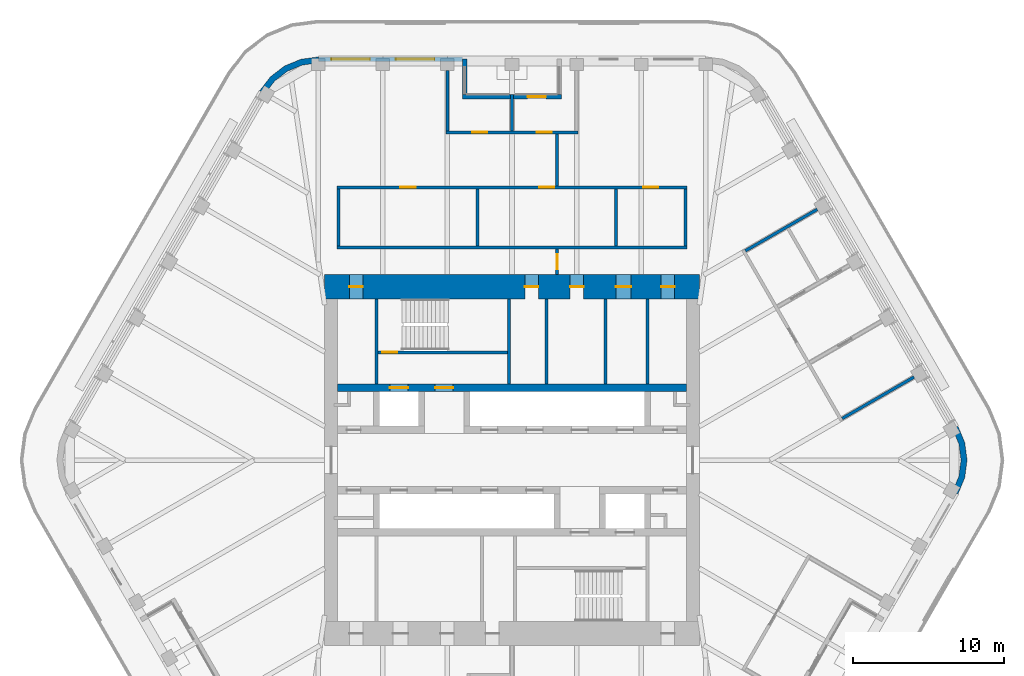
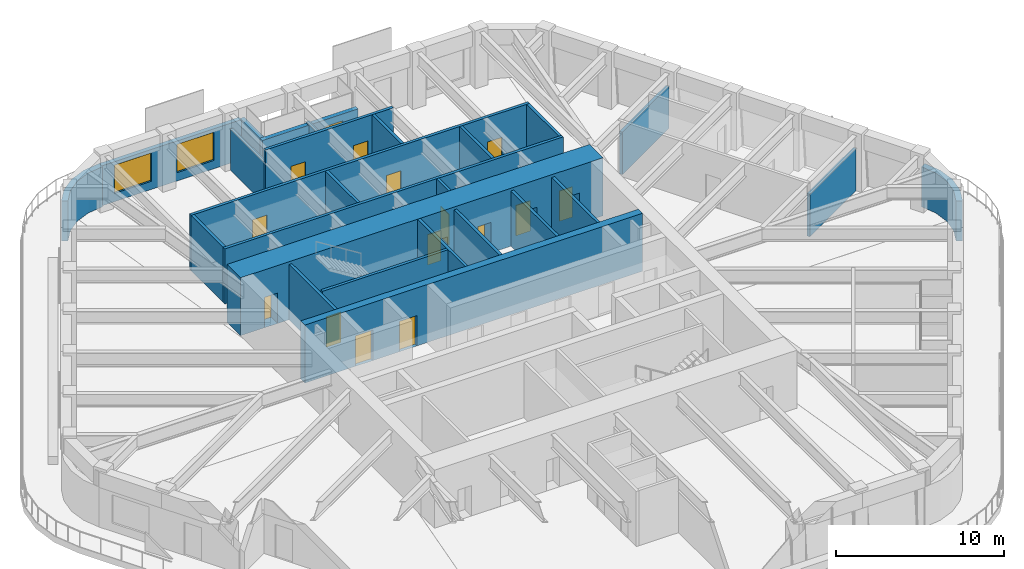
# One storey, part 15 of 19: 26 walls, 15 doors, 2 windows, 17 openings.
"""IFC4 building model written with IfcOpenShell, lengths in metres."""

from ifc_helpers import new_model, si_unit, direction, frame, frame_2d, origin, place, context, subcontext, project, spatial, polyline, rectangle, outline, extrude, material, layer, layer_set, type_object, element, fill, save


model = new_model("IFC4")

# Units and contexts
model_context = context("Model", 3, precision=1e-05, world=origin(), true_north=direction((0.0, 1.0)))
body_context = subcontext(model_context, "Body", "Model", "MODEL_VIEW")
ifc_project = project(units=[si_unit("LENGTHUNIT", "METRE"), si_unit("AREAUNIT", "SQUARE_METRE"), si_unit("VOLUMEUNIT", "CUBIC_METRE"), si_unit("PLANEANGLEUNIT", "RADIAN"), si_unit("MASSUNIT", "GRAM", prefix="KILO")], contexts=[model_context])

# Site, building, storey
site_placement = place(None, origin())
site = spatial("IfcSite", under=ifc_project, at=site_placement, CompositionType="ELEMENT")
building_placement = place(site_placement, origin())
building = spatial("IfcBuilding", under=site, at=building_placement, Name="Tarfa Lantern Tower", CompositionType="ELEMENT")
storey_placement = place(building_placement, frame((0.0, 0.0, 366.10009765625)))
storey = spatial("IfcBuildingStorey", under=building, at=storey_placement, Name="L83", CompositionType="ELEMENT", Elevation=366.10009765625)

# Wall, openings, windows
ifc_material_1 = material(Name="Limestone cladding on blockwork", Category="masonry")
ifc_layer_1 = layer(ifc_material_1, 0.300048828125)
ifc_layer_set_1 = layer_set([ifc_layer_1], Name="EW1 STONE-CLAD WALL 300")
wall_type_1 = type_object("IfcWallType", Name="EW1 STONE-CLAD WALL 300", PredefinedType="SOLIDWALL", material=ifc_layer_set_1)
wall_1_placement = place(storey_placement, frame((-3.281982421875, 26.60009765625, 0.0), z_axis=(0.0, 0.0, 1.0), x_axis=(-1.0, 0.0, 0.0)))
wall_1 = element("IfcWall", 1, at=wall_1_placement, inside=storey, type_object=wall_type_1, Name="Stone wall NB", PredefinedType="SOLIDWALL", context=body_context, shape_type="SweptSolid", body=[
    extrude(rectangle(XDim=9.56396484375, YDim=0.300048828125, at=frame_2d((4.781982421875, 0.0))), origin(), (0.0, 0.0, 1.0), 2.89990234375),
])
opening_1_placement = place(wall_1_placement, frame((1.865966796875, 0.0, 0.60009765625)))
opening_1 = element("IfcOpeningElement", 2, at=opening_1_placement, cuts=wall_1, Name="Opening W17", PredefinedType="OPENING", context=body_context, shape_type="SweptSolid", body=[
    extrude(rectangle(XDim=2.550048828125, YDim=2.050048828125, at=frame_2d((1.27490234375, 1.02490234375))), frame((0.0, 0.159912109375, 0.0), z_axis=(0.0, -1.0, 0.0), x_axis=(1.0, 0.0, 0.0)), (0.0, 0.0, 1.0), 0.320068359375),
])
opening_2_placement = place(wall_1_placement, frame((6.14794921875, 0.0, 0.60009765625)))
opening_2 = element("IfcOpeningElement", 3, at=opening_2_placement, cuts=wall_1, Name="Opening W17", PredefinedType="OPENING", context=body_context, shape_type="SweptSolid", body=[
    extrude(rectangle(XDim=2.550048828125, YDim=2.050048828125, at=frame_2d((1.27490234375, 1.02490234375))), frame((0.0, 0.159912109375, 0.0), z_axis=(0.0, -1.0, 0.0), x_axis=(1.0, 0.0, 0.0)), (0.0, 0.0, 1.0), 0.320068359375),
])
ifc_material_2 = material(Name="Aluminium frame, double glazed", Category="aluminium")
window_type = type_object("IfcWindowType", Name="W17 FULL-HEIGHT GLAZING 2550x2050", PartitioningType="SINGLE_PANEL", PredefinedType="WINDOW", material=ifc_material_2)
window_1_placement = place(opening_1_placement, origin())
window_1 = element("IfcWindow", 4, at=window_1_placement, inside=storey, type_object=window_type, Name="Window NB 1", OverallHeight=2.050048828125, OverallWidth=2.550048828125, PartitioningType="SINGLE_PANEL", PredefinedType="WINDOW", context=body_context, shape_type="SweptSolid", body=[
    extrude(rectangle(XDim=2.550048828125, YDim=2.050048828125, at=frame_2d((1.27490234375, 1.02490234375))), frame((0.0, 0.030029296875, 0.0), z_axis=(0.0, -1.0, 0.0), x_axis=(1.0, 0.0, 0.0)), (0.0, 0.0, 1.0), 0.06005859375),
])
fill(opening_1, window_1)
window_2_placement = place(opening_2_placement, origin())
window_2 = element("IfcWindow", 5, at=window_2_placement, inside=storey, type_object=window_type, Name="Window NB 2", OverallHeight=2.050048828125, OverallWidth=2.550048828125, PartitioningType="SINGLE_PANEL", PredefinedType="WINDOW", context=body_context, shape_type="SweptSolid", body=[
    extrude(rectangle(XDim=2.550048828125, YDim=2.050048828125, at=frame_2d((1.27490234375, 1.02490234375))), frame((0.0, 0.030029296875, 0.0), z_axis=(0.0, -1.0, 0.0), x_axis=(1.0, 0.0, 0.0)), (0.0, 0.0, 1.0), 0.06005859375),
])
fill(opening_2, window_2)

# Wall
wall_2_placement = place(storey_placement, frame((-3.132080078125, 26.60009765625, 0.0), z_axis=(0.0, 0.0, 1.0), x_axis=(0.0, -1.0, 0.0)))
element("IfcWall", 6, at=wall_2_placement, inside=storey, type_object=wall_type_1, Name="Terrace return N 2", PredefinedType="SOLIDWALL", context=body_context, shape_type="SweptSolid", body=[
    extrude(rectangle(XDim=2.35009765625, YDim=0.300048828125, at=frame_2d((1.175048828125, 0.0))), origin(), (0.0, 0.0, 1.0), 2.89990234375),
])

# Wall, opening, door
wall_3_placement = place(storey_placement, frame((3.281982421875, 24.10009765625, 0.0), z_axis=(0.0, 0.0, 1.0), x_axis=(-1.0, 0.0, 0.0)))
wall_3 = element("IfcWall", 7, at=wall_3_placement, inside=storey, type_object=wall_type_1, Name="Stone wall NS", PredefinedType="SOLIDWALL", context=body_context, shape_type="SweptSolid", body=[
    extrude(rectangle(XDim=6.56396484375, YDim=0.300048828125, at=frame_2d((3.281982421875, 0.0))), origin(), (0.0, 0.0, 1.0), 2.89990234375),
])
opening_3_placement = place(wall_3_placement, frame((1.041015625, 0.0, 0.0)))
opening_3 = element("IfcOpeningElement", 8, at=opening_3_placement, cuts=wall_3, Name="Opening D35", PredefinedType="OPENING", context=body_context, shape_type="SweptSolid", body=[
    extrude(rectangle(XDim=1.199951171875, YDim=2.39990234375, at=frame_2d((0.60009765625, 1.199951171875))), frame((0.0, 0.159912109375, 0.0), z_axis=(0.0, -1.0, 0.0), x_axis=(1.0, 0.0, 0.0)), (0.0, 0.0, 1.0), 0.320068359375),
])
ifc_material_3 = material(Name="Aluminium framed glazed door", Category="aluminium")
door_type_1 = type_object("IfcDoorType", Name="BE3 BALCONY DOOR 1200x2400", OperationType="SINGLE_SWING_RIGHT", PredefinedType="DOOR", material=ifc_material_3)
door_1_placement = place(opening_3_placement, origin())
door_1 = element("IfcDoor", 9, at=door_1_placement, inside=storey, type_object=door_type_1, Name="Balcony door NS", OperationType="SINGLE_SWING_LEFT", OverallHeight=2.39990234375, OverallWidth=1.199951171875, PredefinedType="DOOR", context=body_context, shape_type="SweptSolid", body=[
    extrude(rectangle(XDim=1.199951171875, YDim=2.39990234375, at=frame_2d((0.60009765625, 1.199951171875))), frame((0.0, 0.02490234375, 0.0), z_axis=(0.0, -1.0, 0.0), x_axis=(1.0, 0.0, 0.0)), (0.0, 0.0, 1.0), 0.050048828125),
])
fill(opening_3, door_1)

# Walls
ifc_layer_2 = layer(ifc_material_1, 0.39990234375)
ifc_layer_set_2 = layer_set([ifc_layer_2], Name="EW2 CURVED STONE CORNER 400")
wall_type_2 = type_object("IfcWallType", Name="EW2 CURVED STONE CORNER 400", PredefinedType="SOLIDWALL", material=ifc_layer_set_2)
wall_4_placement = place(storey_placement, origin())
element("IfcWall", 10, at=wall_4_placement, inside=storey, type_object=wall_type_2, Name="Stone corner N-NW", PredefinedType="SOLIDWALL", context=body_context, shape_type="SweptSolid", body=[
    extrude(outline(polyline([(-12.845947265625, 26.75), (-14.0107421875, 26.5966796875), (-15.095947265625, 26.147216796875), (-16.028076171875, 25.431884765625), (-16.7431640625, 24.5), (-16.396728515625, 24.300048828125), (-15.7451171875, 25.149169921875), (-14.89599609375, 25.80078125), (-13.9072265625, 26.210205078125), (-12.845947265625, 26.35009765625), (-12.845947265625, 26.75)])), origin(), (0.0, 0.0, 1.0), 2.89990234375),
])
wall_5_placement = place(storey_placement, origin())
element("IfcWall", 11, at=wall_5_placement, inside=storey, type_object=wall_type_2, Name="Stone corner SE-NE", PredefinedType="SOLIDWALL", context=body_context, shape_type="SweptSolid", body=[
    extrude(outline(polyline([(29.589111328125, -2.25), (30.038818359375, -1.164794921875), (30.192138671875, 0.0), (30.038818359375, 1.164794921875), (29.589111328125, 2.25), (29.24267578125, 2.050048828125), (29.65234375, 1.061279296875), (29.7919921875, 0.0), (29.65234375, -1.061279296875), (29.24267578125, -2.050048828125), (29.589111328125, -2.25)])), origin(), (0.0, 0.0, 1.0), 2.89990234375),
])
ifc_material_4 = material(Name="Concrete blockwork", Category="masonry")
ifc_layer_3 = layer(ifc_material_4, 0.199951171875)
ifc_layer_set_3 = layer_set([ifc_layer_3], Name="IW1 BLOCKWORK PARTITION 200 EI 120")
wall_type_3 = type_object("IfcWallType", Name="IW1 BLOCKWORK PARTITION 200 EI 120", PredefinedType="PARTITIONING", material=ifc_layer_set_3)
for number, where, z_axis, x_axis, name in (
    (12, (-9.0, 5.050048828125, 0.0), (0.0, 0.0, 1.0), (0.0, 1.0, 0.0), "Core partition"),
    (13, (9.0, 5.050048828125, 0.0), (0.0, 0.0, 1.0), (0.0, 1.0, 0.0), "Core partition"),
    (14, (2.300048828125, 5.050048828125, 0.0), (0.0, 0.0, 1.0), (0.0, 1.0, 0.0), "Core partition"),
    (15, (6.199951171875, 5.050048828125, 0.0), (0.0, 0.0, 1.0), (0.0, 1.0, 0.0), "Core partition"),
):
    element("IfcWall", number, at=place(storey_placement, frame(where, z_axis=z_axis, x_axis=x_axis)), inside=storey, type_object=wall_type_3, Name=name, PredefinedType="PARTITIONING", context=body_context, shape_type="SweptSolid", body=[
        extrude(rectangle(XDim=5.64990234375, YDim=0.199951171875, at=frame_2d((2.824951171875, 0.0))), origin(), (0.0, 0.0, 1.0), 4.0),
    ])
ifc_material_5 = material(Name="Gypsum board on steel studs", Category="steel")
ifc_layer_4 = layer(ifc_material_5, 0.2099609375)
ifc_layer_set_4 = layer_set([ifc_layer_4], Name="IW2 ACOUSTIC PARTITION 200")
wall_type_4 = type_object("IfcWallType", Name="IW2 ACOUSTIC PARTITION 200", PredefinedType="PARTITIONING", material=ifc_layer_set_4)
wall_6_placement = place(storey_placement, frame((-11.60009765625, 14.10009765625, 0.0), z_axis=(0.0, 0.0, 1.0), x_axis=(1.0, 0.0, 0.0)))
element("IfcWall", 16, at=wall_6_placement, inside=storey, type_object=wall_type_4, Name="Partition", PredefinedType="PARTITIONING", context=body_context, shape_type="SweptSolid", body=[
    extrude(rectangle(XDim=23.2001953125, YDim=0.199951171875, at=frame_2d((11.60009765625, 0.0))), origin(), (0.0, 0.0, 1.0), 4.0),
])

# Wall, openings, doors
wall_7_placement = place(storey_placement, frame((-11.60009765625, 18.10009765625, 0.0), z_axis=(0.0, 0.0, 1.0), x_axis=(1.0, 0.0, 0.0)))
wall_7 = element("IfcWall", 17, at=wall_7_placement, inside=storey, type_object=wall_type_4, Name="Partition", PredefinedType="PARTITIONING", context=body_context, shape_type="SweptSolid", body=[
    extrude(rectangle(XDim=23.2001953125, YDim=0.199951171875, at=frame_2d((11.60009765625, 0.0))), origin(), (0.0, 0.0, 1.0), 4.0),
])
opening_4_placement = place(wall_7_placement, frame((4.199951171875, 0.0, 0.0)))
opening_4 = element("IfcOpeningElement", 18, at=opening_4_placement, cuts=wall_7, Name="Opening D28", PredefinedType="OPENING", context=body_context, shape_type="SweptSolid", body=[
    extrude(rectangle(XDim=1.0, YDim=2.199951171875, at=frame_2d((0.5, 1.10009765625))), frame((0.0, 0.10986328125, 0.0), z_axis=(0.0, -1.0, 0.0), x_axis=(1.0, 0.0, 0.0)), (0.0, 0.0, 1.0), 0.219970703125),
])
opening_5_placement = place(wall_7_placement, frame((13.39990234375, 0.0, 0.0)))
opening_5 = element("IfcOpeningElement", 19, at=opening_5_placement, cuts=wall_7, Name="Opening D29", PredefinedType="OPENING", context=body_context, shape_type="SweptSolid", body=[
    extrude(rectangle(XDim=1.0, YDim=2.199951171875, at=frame_2d((0.5, 1.10009765625))), frame((0.0, 0.10986328125, 0.0), z_axis=(0.0, -1.0, 0.0), x_axis=(1.0, 0.0, 0.0)), (0.0, 0.0, 1.0), 0.219970703125),
])
opening_6_placement = place(wall_7_placement, frame((20.300048828125, 0.0, 0.0)))
opening_6 = element("IfcOpeningElement", 20, at=opening_6_placement, cuts=wall_7, Name="Opening D30", PredefinedType="OPENING", context=body_context, shape_type="SweptSolid", body=[
    extrude(rectangle(XDim=1.0, YDim=2.199951171875, at=frame_2d((0.5, 1.10009765625))), frame((0.0, 0.10986328125, 0.0), z_axis=(0.0, -1.0, 0.0), x_axis=(1.0, 0.0, 0.0)), (0.0, 0.0, 1.0), 0.219970703125),
])
ifc_material_6 = material(Name="Timber door", Category="wood")
door_type_2 = type_object("IfcDoorType", Name="DR1 ROOM DOOR 1000x2200", OperationType="SINGLE_SWING_LEFT", PredefinedType="DOOR", material=ifc_material_6)
door_2_placement = place(opening_4_placement, frame((1.0, 0.0, 0.0), z_axis=(0.0, 0.0, 1.0), x_axis=(-1.0, 0.0, 0.0)))
door_2 = element("IfcDoor", 21, at=door_2_placement, inside=storey, type_object=door_type_2, Name="Chief of staff's office door", OperationType="SINGLE_SWING_LEFT", OverallHeight=2.199951171875, OverallWidth=1.0, PredefinedType="DOOR", context=body_context, shape_type="SweptSolid", body=[
    extrude(rectangle(XDim=1.0, YDim=2.199951171875, at=frame_2d((0.5, 1.10009765625))), frame((0.0, 0.02490234375, 0.0), z_axis=(0.0, -1.0, 0.0), x_axis=(1.0, 0.0, 0.0)), (0.0, 0.0, 1.0), 0.050048828125),
])
fill(opening_4, door_2)
door_3_placement = place(opening_5_placement, frame((1.0, 0.0, 0.0), z_axis=(0.0, 0.0, 1.0), x_axis=(-1.0, 0.0, 0.0)))
door_3 = element("IfcDoor", 22, at=door_3_placement, inside=storey, type_object=door_type_2, Name="Meeting room door", OperationType="SINGLE_SWING_RIGHT", OverallHeight=2.199951171875, OverallWidth=1.0, PredefinedType="DOOR", context=body_context, shape_type="SweptSolid", body=[
    extrude(rectangle(XDim=1.0, YDim=2.199951171875, at=frame_2d((0.5, 1.10009765625))), frame((0.0, 0.02490234375, 0.0), z_axis=(0.0, -1.0, 0.0), x_axis=(1.0, 0.0, 0.0)), (0.0, 0.0, 1.0), 0.050048828125),
])
fill(opening_5, door_3)
door_4_placement = place(opening_6_placement, frame((1.0, 0.0, 0.0), z_axis=(0.0, 0.0, 1.0), x_axis=(-1.0, 0.0, 0.0)))
door_4 = element("IfcDoor", 23, at=door_4_placement, inside=storey, type_object=door_type_2, Name="Pantry door", OperationType="SINGLE_SWING_RIGHT", OverallHeight=2.199951171875, OverallWidth=1.0, PredefinedType="DOOR", context=body_context, shape_type="SweptSolid", body=[
    extrude(rectangle(XDim=1.0, YDim=2.199951171875, at=frame_2d((0.5, 1.10009765625))), frame((0.0, 0.02490234375, 0.0), z_axis=(0.0, -1.0, 0.0), x_axis=(1.0, 0.0, 0.0)), (0.0, 0.0, 1.0), 0.050048828125),
])
fill(opening_6, door_4)

# Walls
for number, where, z_axis, x_axis, name in (
    (24, (-11.5, 14.199951171875, 0.0), (0.0, 0.0, 1.0), (0.0, 1.0, 0.0), "Partition"),
    (25, (-2.300048828125, 14.199951171875, 0.0), (0.0, 0.0, 1.0), (0.0, 1.0, 0.0), "Partition"),
    (26, (6.89990234375, 14.199951171875, 0.0), (0.0, 0.0, 1.0), (0.0, 1.0, 0.0), "Partition"),
    (27, (11.5, 14.199951171875, 0.0), (0.0, 0.0, 1.0), (0.0, 1.0, 0.0), "Partition"),
):
    element("IfcWall", number, at=place(storey_placement, frame(where, z_axis=z_axis, x_axis=x_axis)), inside=storey, type_object=wall_type_4, Name=name, PredefinedType="PARTITIONING", context=body_context, shape_type="SweptSolid", body=[
        extrude(rectangle(XDim=3.800048828125, YDim=0.199951171875, at=frame_2d((1.89990234375, 0.0))), origin(), (0.0, 0.0, 1.0), 4.0),
    ])

# Wall, openings, doors
wall_8_placement = place(storey_placement, frame((4.382080078125, 21.75, 0.0), z_axis=(0.0, 0.0, 1.0), x_axis=(-1.0, 0.0, 0.0)))
wall_8 = element("IfcWall", 28, at=wall_8_placement, inside=storey, type_object=wall_type_4, Name="Partition", PredefinedType="PARTITIONING", context=body_context, shape_type="SweptSolid", body=[
    extrude(rectangle(XDim=8.76416015625, YDim=0.199951171875, at=frame_2d((4.382080078125, 0.0))), origin(), (0.0, 0.0, 1.0), 4.0),
])
opening_7_placement = place(wall_8_placement, frame((1.740966796875, 0.0, 0.0)))
opening_7 = element("IfcOpeningElement", 29, at=opening_7_placement, cuts=wall_8, Name="Opening D21", PredefinedType="OPENING", context=body_context, shape_type="SweptSolid", body=[
    extrude(rectangle(XDim=1.0, YDim=2.199951171875, at=frame_2d((0.5, 1.10009765625))), frame((0.0, 0.10986328125, 0.0), z_axis=(0.0, -1.0, 0.0), x_axis=(1.0, 0.0, 0.0)), (0.0, 0.0, 1.0), 0.219970703125),
])
opening_8_placement = place(wall_8_placement, frame((6.02294921875, 0.0, 0.0)))
opening_8 = element("IfcOpeningElement", 30, at=opening_8_placement, cuts=wall_8, Name="Opening D22", PredefinedType="OPENING", context=body_context, shape_type="SweptSolid", body=[
    extrude(rectangle(XDim=1.0, YDim=2.199951171875, at=frame_2d((0.5, 1.10009765625))), frame((0.0, 0.10986328125, 0.0), z_axis=(0.0, -1.0, 0.0), x_axis=(1.0, 0.0, 0.0)), (0.0, 0.0, 1.0), 0.219970703125),
])
door_5_placement = place(opening_7_placement, frame((1.0, 0.0, 0.0), z_axis=(0.0, 0.0, 1.0), x_axis=(-1.0, 0.0, 0.0)))
door_5 = element("IfcDoor", 31, at=door_5_placement, inside=storey, type_object=door_type_2, Name="Advisor's office door", OperationType="SINGLE_SWING_LEFT", OverallHeight=2.199951171875, OverallWidth=1.0, PredefinedType="DOOR", context=body_context, shape_type="SweptSolid", body=[
    extrude(rectangle(XDim=1.0, YDim=2.199951171875, at=frame_2d((0.5, 1.10009765625))), frame((0.0, 0.02490234375, 0.0), z_axis=(0.0, -1.0, 0.0), x_axis=(1.0, 0.0, 0.0)), (0.0, 0.0, 1.0), 0.050048828125),
])
fill(opening_7, door_5)
door_6_placement = place(opening_8_placement, frame((1.0, 0.0, 0.0), z_axis=(0.0, 0.0, 1.0), x_axis=(-1.0, 0.0, 0.0)))
door_6 = element("IfcDoor", 32, at=door_6_placement, inside=storey, type_object=door_type_2, Name="Advisor's office door", OperationType="SINGLE_SWING_RIGHT", OverallHeight=2.199951171875, OverallWidth=1.0, PredefinedType="DOOR", context=body_context, shape_type="SweptSolid", body=[
    extrude(rectangle(XDim=1.0, YDim=2.199951171875, at=frame_2d((0.5, 1.10009765625))), frame((0.0, 0.02490234375, 0.0), z_axis=(0.0, -1.0, 0.0), x_axis=(1.0, 0.0, 0.0)), (0.0, 0.0, 1.0), 0.050048828125),
])
fill(opening_8, door_6)

# Walls
wall_9_placement = place(storey_placement, frame((0.0, 21.85009765625, 0.0), z_axis=(0.0, 0.0, 1.0), x_axis=(0.0, 1.0, 0.0)))
element("IfcWall", 33, at=wall_9_placement, inside=storey, type_object=wall_type_4, Name="Partition", PredefinedType="PARTITIONING", context=body_context, shape_type="SweptSolid", body=[
    extrude(rectangle(XDim=2.40087890625, YDim=0.199951171875, at=frame_2d((1.200439453125, 0.0))), origin(), (0.0, 0.0, 1.0), 2.99169921875),
])
wall_10_placement = place(storey_placement, frame((-4.281982421875, 21.85009765625, 0.0), z_axis=(0.0, 0.0, 1.0), x_axis=(0.0, 1.0, 0.0)))
element("IfcWall", 34, at=wall_10_placement, inside=storey, type_object=wall_type_4, Name="Partition", PredefinedType="PARTITIONING", context=body_context, shape_type="SweptSolid", body=[
    extrude(rectangle(XDim=4.0, YDim=0.199951171875, at=frame_2d((2.0, 0.0))), origin(), (0.0, 0.0, 1.0), 2.99169921875),
])
for number, where, z_axis, x_axis, name in (
    (35, (21.905517578125, 2.75830078125, 0.0), (0.0, 0.0, 1.0), (0.866027397988, 0.499996545922, 0.0), "Partition"),
    (36, (15.482666015625, 13.88330078125, 0.0), (0.0, 0.0, 1.0), (0.866027397988, 0.499996545922, 0.0), "Partition"),
):
    element("IfcWall", number, at=place(storey_placement, frame(where, z_axis=z_axis, x_axis=x_axis)), inside=storey, type_object=wall_type_4, Name=name, PredefinedType="PARTITIONING", context=body_context, shape_type="SweptSolid", body=[
        extrude(rectangle(XDim=5.5, YDim=0.199951171875, at=frame_2d((2.75, 0.0))), origin(), (0.0, 0.0, 1.0), 3.08154296875),
    ])

# Wall, opening, door
wall_11_placement = place(storey_placement, frame((3.0, 12.300048828125, 0.0), z_axis=(0.0, 0.0, 1.0), x_axis=(0.0, 1.0, 0.0)))
wall_11 = element("IfcWall", 37, at=wall_11_placement, inside=storey, type_object=wall_type_4, Name="Partition", PredefinedType="PARTITIONING", context=body_context, shape_type="SweptSolid", body=[
    extrude(rectangle(XDim=1.699951171875, YDim=0.199951171875, at=frame_2d((0.85009765625, 0.0))), origin(), (0.0, 0.0, 1.0), 4.0),
])
opening_9_placement = place(wall_11_placement, frame((0.35009765625, 0.0, 0.0)))
opening_9 = element("IfcOpeningElement", 38, at=opening_9_placement, cuts=wall_11, Name="Opening D33", PredefinedType="OPENING", context=body_context, shape_type="SweptSolid", body=[
    extrude(rectangle(XDim=1.0, YDim=2.199951171875, at=frame_2d((0.5, 1.10009765625))), frame((0.0, 0.10986328125, 0.0), z_axis=(0.0, -1.0, 0.0), x_axis=(1.0, 0.0, 0.0)), (0.0, 0.0, 1.0), 0.219970703125),
])
door_7_placement = place(opening_9_placement, frame((1.0, 0.0, 0.0), z_axis=(0.0, 0.0, 1.0), x_axis=(-1.0, 0.0, 0.0)))
door_7 = element("IfcDoor", 39, at=door_7_placement, inside=storey, type_object=door_type_2, Name="Zone door", OperationType="SINGLE_SWING_RIGHT", OverallHeight=2.199951171875, OverallWidth=1.0, PredefinedType="DOOR", context=body_context, shape_type="SweptSolid", body=[
    extrude(rectangle(XDim=1.0, YDim=2.199951171875, at=frame_2d((0.5, 1.10009765625))), frame((0.0, 0.02490234375, 0.0), z_axis=(0.0, -1.0, 0.0), x_axis=(1.0, 0.0, 0.0)), (0.0, 0.0, 1.0), 0.050048828125),
])
fill(opening_9, door_7)

# Walls
wall_12_placement = place(storey_placement, frame((3.0, 18.199951171875, 0.0), z_axis=(0.0, 0.0, 1.0), x_axis=(0.0, 1.0, 0.0)))
element("IfcWall", 40, at=wall_12_placement, inside=storey, type_object=wall_type_4, Name="Partition", PredefinedType="PARTITIONING", context=body_context, shape_type="SweptSolid", body=[
    extrude(rectangle(XDim=3.449951171875, YDim=0.199951171875, at=frame_2d((1.72509765625, 0.0))), origin(), (0.0, 0.0, 1.0), 4.0),
])
ifc_material_7 = material(Name="Concrete C80/95", Category="concrete")
ifc_layer_5 = layer(ifc_material_7, 0.199951171875)
ifc_layer_set_5 = layer_set([ifc_layer_5], Name="SW12 CORE WALL 200")
wall_type_5 = type_object("IfcWallType", Name="SW12 CORE WALL 200", PredefinedType="SHEAR", material=ifc_layer_set_5)
wall_13_placement = place(storey_placement, frame((-0.199951171875, 5.050048828125, 0.0), z_axis=(0.0, 0.0, 1.0), x_axis=(0.0, 1.0, 0.0)))
element("IfcWall", 41, at=wall_13_placement, inside=storey, type_object=wall_type_5, Name="Core wall stair shaft N", PredefinedType="SHEAR", context=body_context, shape_type="SweptSolid", body=[
    extrude(rectangle(XDim=5.64990234375, YDim=0.199951171875, at=frame_2d((2.824951171875, 0.0))), origin(), (0.0, 0.0, 1.0), 4.199951171875),
])

# Wall, opening, door
wall_14_placement = place(storey_placement, frame((-8.89990234375, 7.14990234375, 0.0), z_axis=(0.0, 0.0, 1.0), x_axis=(1.0, 0.0, 0.0)))
wall_14 = element("IfcWall", 42, at=wall_14_placement, inside=storey, type_object=wall_type_5, Name="Core wall stair partition N", PredefinedType="SHEAR", context=body_context, shape_type="SweptSolid", body=[
    extrude(rectangle(XDim=8.599853515625, YDim=0.199951171875, at=frame_2d((4.2998046875, 0.0))), origin(), (0.0, 0.0, 1.0), 4.199951171875),
])
opening_10_placement = place(wall_14_placement, frame((0.300048828125, 0.0, 0.0)))
opening_10 = element("IfcOpeningElement", 43, at=opening_10_placement, cuts=wall_14, Name="Opening D19", PredefinedType="OPENING", context=body_context, shape_type="SweptSolid", body=[
    extrude(rectangle(XDim=1.0, YDim=2.199951171875, at=frame_2d((0.5, 1.10009765625))), frame((0.0, 0.10986328125, 0.0), z_axis=(0.0, -1.0, 0.0), x_axis=(1.0, 0.0, 0.0)), (0.0, 0.0, 1.0), 0.219970703125),
])
ifc_material_8 = material(Name="Steel fire door", Category="steel")
door_type_3 = type_object("IfcDoorType", Name="DF2 STAIR DOOR 1000x2200", OperationType="SINGLE_SWING_LEFT", PredefinedType="DOOR", material=ifc_material_8)
door_8_placement = place(opening_10_placement, origin())
door_8 = element("IfcDoor", 44, at=door_8_placement, inside=storey, type_object=door_type_3, Name="Stair door", OperationType="SINGLE_SWING_RIGHT", OverallHeight=2.199951171875, OverallWidth=1.0, PredefinedType="DOOR", context=body_context, shape_type="SweptSolid", body=[
    extrude(rectangle(XDim=1.0, YDim=2.199951171875, at=frame_2d((0.5, 1.10009765625))), frame((0.0, 0.02490234375, 0.0), z_axis=(0.0, -1.0, 0.0), x_axis=(1.0, 0.0, 0.0)), (0.0, 0.0, 1.0), 0.050048828125),
])
fill(opening_10, door_8)

# Wall, openings, doors
ifc_layer_6 = layer(ifc_material_7, 0.5)
ifc_layer_set_6 = layer_set([ifc_layer_6], Name="SW5 CORE WALL 500")
wall_type_6 = type_object("IfcWallType", Name="SW5 CORE WALL 500", PredefinedType="SHEAR", material=ifc_layer_set_6)
wall_15_placement = place(storey_placement, frame((-11.574951171875, 4.800048828125, 0.0), z_axis=(0.0, 0.0, 1.0), x_axis=(1.0, 0.0, 0.0)))
wall_15 = element("IfcWall", 45, at=wall_15_placement, inside=storey, type_object=wall_type_6, Name="Core wall rear N", PredefinedType="SHEAR", context=body_context, shape_type="SweptSolid", body=[
    extrude(rectangle(XDim=23.14990234375, YDim=0.5, at=frame_2d((11.574951171875, 0.0))), origin(), (0.0, 0.0, 1.0), 4.199951171875),
])
opening_11_placement = place(wall_15_placement, frame((6.47509765625, 0.0, 0.0)))
opening_11 = element("IfcOpeningElement", 46, at=opening_11_placement, cuts=wall_15, Name="Opening D05", PredefinedType="OPENING", context=body_context, shape_type="SweptSolid", body=[
    extrude(rectangle(XDim=1.199951171875, YDim=2.199951171875, at=frame_2d((0.60009765625, 1.10009765625))), frame((0.0, 0.260009765625, 0.0), z_axis=(0.0, -1.0, 0.0), x_axis=(1.0, 0.0, 0.0)), (0.0, 0.0, 1.0), 0.52001953125),
])
opening_12_placement = place(wall_15_placement, frame((3.47509765625, 0.0, 0.0)))
opening_12 = element("IfcOpeningElement", 47, at=opening_12_placement, cuts=wall_15, Name="Opening LD01", PredefinedType="OPENING", context=body_context, shape_type="SweptSolid", body=[
    extrude(rectangle(XDim=1.199951171875, YDim=2.199951171875, at=frame_2d((0.60009765625, 1.10009765625))), frame((0.0, 0.260009765625, 0.0), z_axis=(0.0, -1.0, 0.0), x_axis=(1.0, 0.0, 0.0)), (0.0, 0.0, 1.0), 0.52001953125),
])
door_type_4 = type_object("IfcDoorType", Name="DF1 FIREFIGHTING LOBBY DOOR 1200x2200", OperationType="SINGLE_SWING_LEFT", PredefinedType="DOOR", material=ifc_material_8)
door_9_placement = place(opening_11_placement, origin())
door_9 = element("IfcDoor", 48, at=door_9_placement, inside=storey, type_object=door_type_4, Name="Firefighting lobby door", OperationType="SINGLE_SWING_LEFT", OverallHeight=2.199951171875, OverallWidth=1.199951171875, PredefinedType="DOOR", context=body_context, shape_type="SweptSolid", body=[
    extrude(rectangle(XDim=1.199951171875, YDim=2.199951171875, at=frame_2d((0.60009765625, 1.10009765625))), frame((0.0, 0.02490234375, 0.0), z_axis=(0.0, -1.0, 0.0), x_axis=(1.0, 0.0, 0.0)), (0.0, 0.0, 1.0), 0.050048828125),
])
fill(opening_11, door_9)
ifc_material_9 = material(Name="Stainless steel lift door", Category="steel")
door_type_5 = type_object("IfcDoorType", Name="LD1 LIFT LANDING DOOR 1200x2200", OperationType="SLIDING_TO_LEFT", PredefinedType="DOOR", material=ifc_material_9)
door_10_placement = place(opening_12_placement, origin())
door_10 = element("IfcDoor", 49, at=door_10_placement, inside=storey, type_object=door_type_5, Name="Landing door FL1", OperationType="SLIDING_TO_LEFT", OverallHeight=2.199951171875, OverallWidth=1.199951171875, PredefinedType="DOOR", context=body_context, shape_type="SweptSolid", body=[
    extrude(rectangle(XDim=1.199951171875, YDim=2.199951171875, at=frame_2d((0.60009765625, 1.10009765625))), frame((0.0, 0.02490234375, 0.0), z_axis=(0.0, -1.0, 0.0), x_axis=(1.0, 0.0, 0.0)), (0.0, 0.0, 1.0), 0.050048828125),
])
fill(opening_12, door_10)

ifc_layer_7 = layer(ifc_material_7, 1.60009765625)
ifc_layer_set_7 = layer_set([ifc_layer_7], Name="SW7 CORE WALL 1600")
wall_type_7 = type_object("IfcWallType", Name="SW7 CORE WALL 1600", PredefinedType="SHEAR", material=ifc_layer_set_7)
wall_16_placement = place(storey_placement, frame((-12.425048828125, 11.5, 0.0), z_axis=(0.0, 0.0, 1.0), x_axis=(1.0, 0.0, 0.0)))
wall_16 = element("IfcWall", 50, at=wall_16_placement, inside=storey, type_object=wall_type_7, Name="Core wall N", PredefinedType="SHEAR", context=body_context, shape_type="SweptSolid", body=[
    extrude(rectangle(XDim=24.85009765625, YDim=1.60009765625, at=frame_2d((12.425048828125, 0.0))), origin(), (0.0, 0.0, 1.0), 4.199951171875),
])
opening_13_placement = place(wall_16_placement, frame((13.27490234375, 0.0, 0.0)))
opening_13 = element("IfcOpeningElement", 51, at=opening_13_placement, cuts=wall_16, Name="Opening D13", PredefinedType="OPENING", context=body_context, shape_type="SweptSolid", body=[
    extrude(rectangle(XDim=0.89990234375, YDim=2.199951171875, at=frame_2d((0.449951171875, 1.10009765625))), frame((0.0, 0.81005859375, 0.0), z_axis=(0.0, -1.0, 0.0), x_axis=(1.0, 0.0, 0.0)), (0.0, 0.0, 1.0), 1.6201171875),
])
opening_14_placement = place(wall_16_placement, frame((16.27490234375, 0.0, 0.0)))
opening_14 = element("IfcOpeningElement", 52, at=opening_14_placement, cuts=wall_16, Name="Opening D15", PredefinedType="OPENING", context=body_context, shape_type="SweptSolid", body=[
    extrude(rectangle(XDim=0.89990234375, YDim=2.199951171875, at=frame_2d((0.449951171875, 1.10009765625))), frame((0.0, 0.81005859375, 0.0), z_axis=(0.0, -1.0, 0.0), x_axis=(1.0, 0.0, 0.0)), (0.0, 0.0, 1.0), 1.6201171875),
])
opening_15_placement = place(wall_16_placement, frame((19.324951171875, 0.0, 0.0)))
opening_15 = element("IfcOpeningElement", 53, at=opening_15_placement, cuts=wall_16, Name="Opening D17", PredefinedType="OPENING", context=body_context, shape_type="SweptSolid", body=[
    extrude(rectangle(XDim=1.0, YDim=2.199951171875, at=frame_2d((0.5, 1.10009765625))), frame((0.0, 0.81005859375, 0.0), z_axis=(0.0, -1.0, 0.0), x_axis=(1.0, 0.0, 0.0)), (0.0, 0.0, 1.0), 1.6201171875),
])
opening_16_placement = place(wall_16_placement, frame((1.637451171875, 0.0, 0.0)))
opening_16 = element("IfcOpeningElement", 54, at=opening_16_placement, cuts=wall_16, Name="Opening D03", PredefinedType="OPENING", context=body_context, shape_type="SweptSolid", body=[
    extrude(rectangle(XDim=0.89990234375, YDim=2.199951171875, at=frame_2d((0.449951171875, 1.10009765625))), frame((0.0, 0.81005859375, 0.0), z_axis=(0.0, -1.0, 0.0), x_axis=(1.0, 0.0, 0.0)), (0.0, 0.0, 1.0), 1.6201171875),
])
opening_17_placement = place(wall_16_placement, frame((22.3125, 0.0, 0.0)))
opening_17 = element("IfcOpeningElement", 55, at=opening_17_placement, cuts=wall_16, Name="Opening D01", PredefinedType="OPENING", context=body_context, shape_type="SweptSolid", body=[
    extrude(rectangle(XDim=0.89990234375, YDim=2.199951171875, at=frame_2d((0.449951171875, 1.10009765625))), frame((0.0, 0.81005859375, 0.0), z_axis=(0.0, -1.0, 0.0), x_axis=(1.0, 0.0, 0.0)), (0.0, 0.0, 1.0), 1.6201171875),
])
door_type_6 = type_object("IfcDoorType", Name="DF3 CORE ROOM DOOR 900x2200", OperationType="SINGLE_SWING_LEFT", PredefinedType="DOOR", material=ifc_material_8)
door_11_placement = place(opening_13_placement, frame((0.89990234375, 0.0, 0.0), z_axis=(0.0, 0.0, 1.0), x_axis=(-1.0, 0.0, 0.0)))
door_11 = element("IfcDoor", 56, at=door_11_placement, inside=storey, type_object=door_type_6, Name="Core door", OperationType="SINGLE_SWING_RIGHT", OverallHeight=2.199951171875, OverallWidth=0.89990234375, PredefinedType="DOOR", context=body_context, shape_type="SweptSolid", body=[
    extrude(rectangle(XDim=0.89990234375, YDim=2.199951171875, at=frame_2d((0.449951171875, 1.10009765625))), frame((0.0, 0.02490234375, 0.0), z_axis=(0.0, -1.0, 0.0), x_axis=(1.0, 0.0, 0.0)), (0.0, 0.0, 1.0), 0.050048828125),
])
fill(opening_13, door_11)
door_12_placement = place(opening_14_placement, frame((0.89990234375, 0.0, 0.0), z_axis=(0.0, 0.0, 1.0), x_axis=(-1.0, 0.0, 0.0)))
door_12 = element("IfcDoor", 57, at=door_12_placement, inside=storey, type_object=door_type_6, Name="Core door", OperationType="SINGLE_SWING_RIGHT", OverallHeight=2.199951171875, OverallWidth=0.89990234375, PredefinedType="DOOR", context=body_context, shape_type="SweptSolid", body=[
    extrude(rectangle(XDim=0.89990234375, YDim=2.199951171875, at=frame_2d((0.449951171875, 1.10009765625))), frame((0.0, 0.02490234375, 0.0), z_axis=(0.0, -1.0, 0.0), x_axis=(1.0, 0.0, 0.0)), (0.0, 0.0, 1.0), 0.050048828125),
])
fill(opening_14, door_12)
door_type_7 = type_object("IfcDoorType", Name="DF4 CORE ROOM DOOR 1000x2200", OperationType="SINGLE_SWING_LEFT", PredefinedType="DOOR", material=ifc_material_8)
door_13_placement = place(opening_15_placement, frame((1.0, 0.0, 0.0), z_axis=(0.0, 0.0, 1.0), x_axis=(-1.0, 0.0, 0.0)))
door_13 = element("IfcDoor", 58, at=door_13_placement, inside=storey, type_object=door_type_7, Name="Core door", OperationType="SINGLE_SWING_LEFT", OverallHeight=2.199951171875, OverallWidth=1.0, PredefinedType="DOOR", context=body_context, shape_type="SweptSolid", body=[
    extrude(rectangle(XDim=1.0, YDim=2.199951171875, at=frame_2d((0.5, 1.10009765625))), frame((0.0, 0.02490234375, 0.0), z_axis=(0.0, -1.0, 0.0), x_axis=(1.0, 0.0, 0.0)), (0.0, 0.0, 1.0), 0.050048828125),
])
fill(opening_15, door_13)
door_type_8 = type_object("IfcDoorType", Name="DF5 RISER DOOR 900x2200", OperationType="SINGLE_SWING_LEFT", PredefinedType="DOOR", material=ifc_material_8)
door_14_placement = place(opening_16_placement, frame((0.89990234375, 0.0, 0.0), z_axis=(0.0, 0.0, 1.0), x_axis=(-1.0, 0.0, 0.0)))
door_14 = element("IfcDoor", 59, at=door_14_placement, inside=storey, type_object=door_type_8, Name="Riser door", OperationType="SINGLE_SWING_LEFT", OverallHeight=2.199951171875, OverallWidth=0.89990234375, PredefinedType="DOOR", context=body_context, shape_type="SweptSolid", body=[
    extrude(rectangle(XDim=0.89990234375, YDim=2.199951171875, at=frame_2d((0.449951171875, 1.10009765625))), frame((0.0, 0.02490234375, 0.0), z_axis=(0.0, -1.0, 0.0), x_axis=(1.0, 0.0, 0.0)), (0.0, 0.0, 1.0), 0.050048828125),
])
fill(opening_16, door_14)
door_15_placement = place(opening_17_placement, frame((0.89990234375, 0.0, 0.0), z_axis=(0.0, 0.0, 1.0), x_axis=(-1.0, 0.0, 0.0)))
door_15 = element("IfcDoor", 60, at=door_15_placement, inside=storey, type_object=door_type_8, Name="Riser door", OperationType="SINGLE_SWING_RIGHT", OverallHeight=2.199951171875, OverallWidth=0.89990234375, PredefinedType="DOOR", context=body_context, shape_type="SweptSolid", body=[
    extrude(rectangle(XDim=0.89990234375, YDim=2.199951171875, at=frame_2d((0.449951171875, 1.10009765625))), frame((0.0, 0.02490234375, 0.0), z_axis=(0.0, -1.0, 0.0), x_axis=(1.0, 0.0, 0.0)), (0.0, 0.0, 1.0), 0.050048828125),
])
fill(opening_17, door_15)

save(model, "model.ifc")
